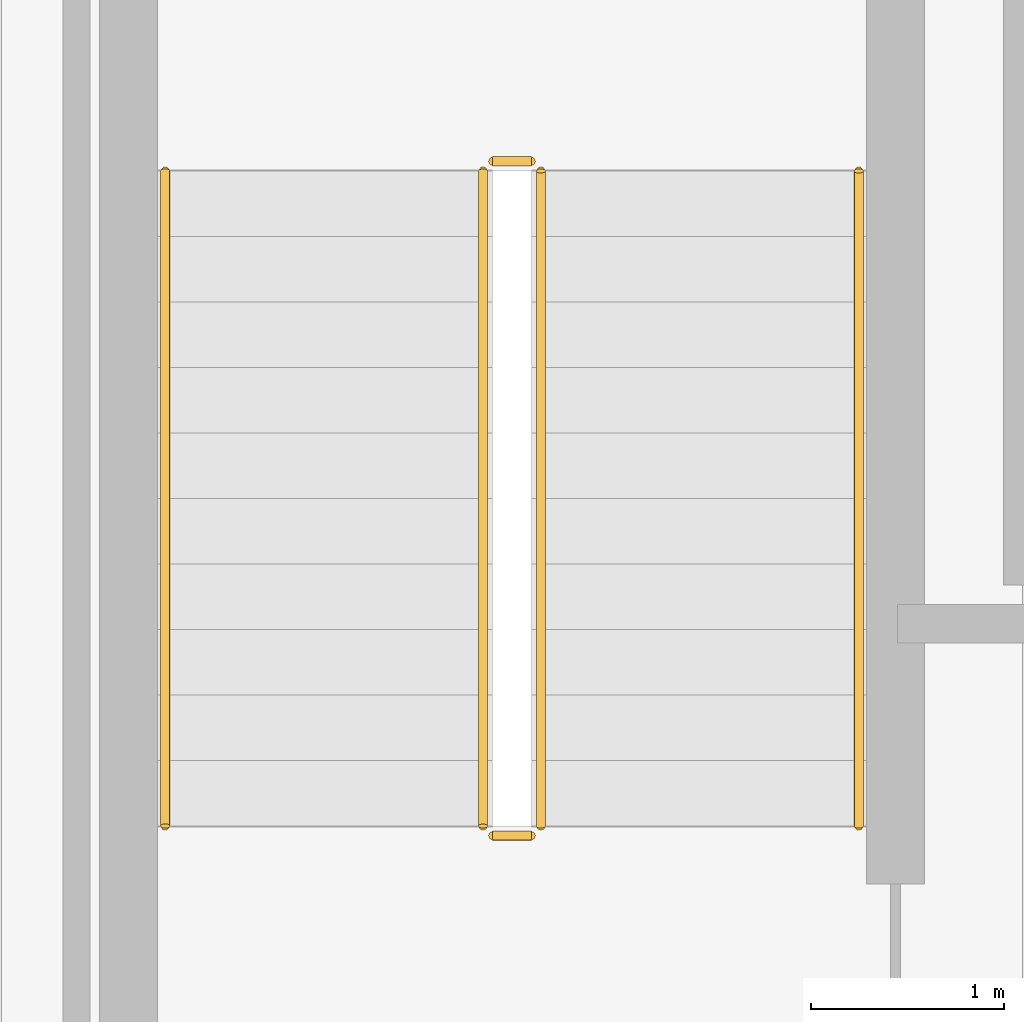
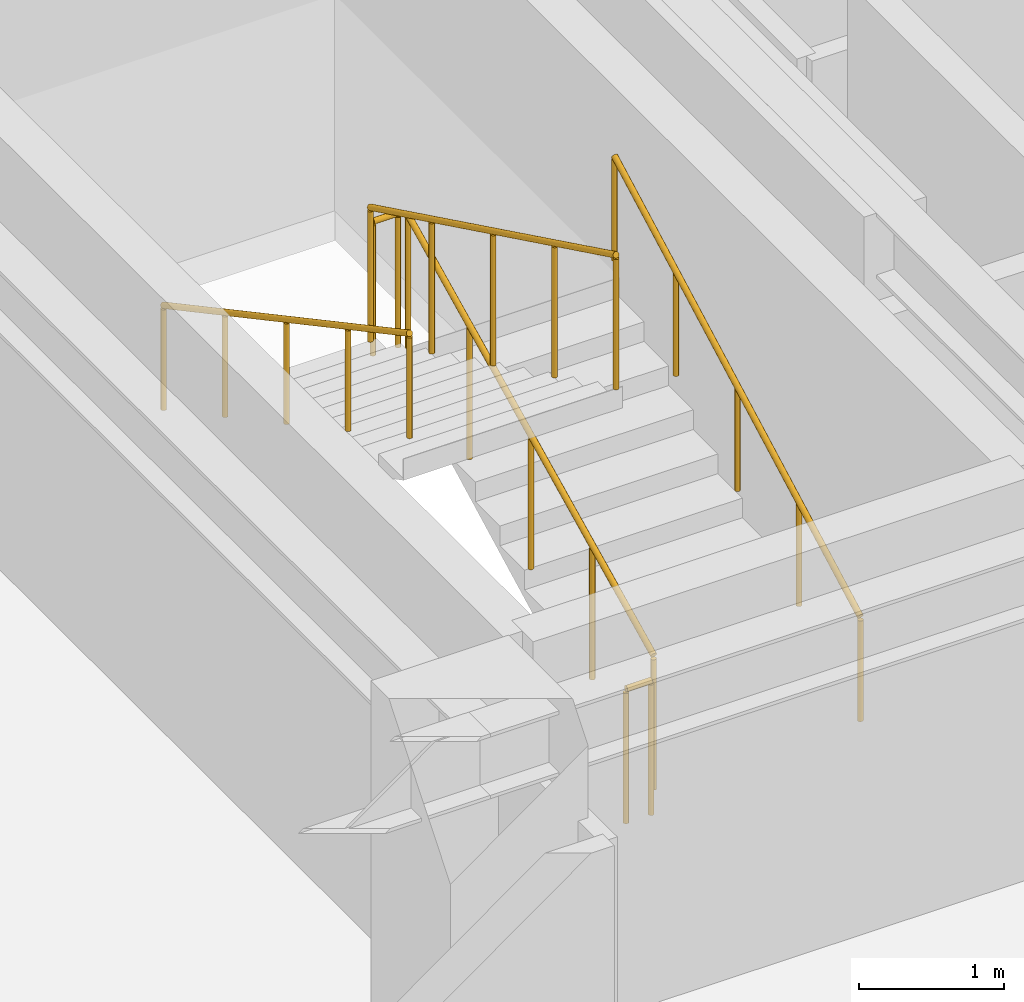
# One storey, part 30 of 31: 6 railings.
"""IFC4 building model written with IfcOpenShell, lengths in metres."""

from ifc_helpers import new_model, si_unit, direction, frame, origin, origin_2d, place, context, subcontext, project, spatial, circle, extrude, material, type_object, element, save


model = new_model("IFC4")

# Units and contexts
model_context = context("Model", 3, precision=1e-05, world=origin(), true_north=direction((0.0, 1.0)))
body_context = subcontext(model_context, "Body", "Model", "MODEL_VIEW")
ifc_project = project(units=[si_unit("LENGTHUNIT", "METRE"), si_unit("AREAUNIT", "SQUARE_METRE"), si_unit("VOLUMEUNIT", "CUBIC_METRE"), si_unit("PLANEANGLEUNIT", "RADIAN"), si_unit("MASSUNIT", "GRAM", prefix="KILO")], contexts=[model_context])

# Site, building, storey
site_placement = place(None, origin())
site = spatial("IfcSite", under=ifc_project, at=site_placement, CompositionType="ELEMENT")
building_placement = place(site_placement, origin())
building = spatial("IfcBuilding", under=site, at=building_placement, Name="Nahalor Promenade Grand Hotel", CompositionType="ELEMENT")
storey_placement = place(building_placement, frame((0.0, 0.0, 156.300048828125)))
storey = spatial("IfcBuildingStorey", under=building, at=storey_placement, Name="L39", CompositionType="ELEMENT", Elevation=156.300048828125)

# Railings
ifc_material = material(Name="Steel S355JR", Category="steel")
railing_type_1 = type_object("IfcRailingType", Name="Steel Stair Guardrail 1150 mm", PredefinedType="GUARDRAIL", material=ifc_material)
railing_1_placement = place(storey_placement, frame((5.75, 8.10009765625, 0.165771484375)))
element("IfcRailing", 1, at=railing_1_placement, inside=storey, type_object=railing_type_1, Name="L39 ST1 stair guard 1", PredefinedType="GUARDRAIL", context=body_context, shape_type="SweptSolid", body=[
    extrude(circle(Radius=0.024048, at=origin_2d()), frame((0.0, 0.0, 1.1259765625), z_axis=(0.0, 0.898696488221, 0.438571114028), x_axis=(-1.0, 0.0, 0.0)), (0.0, 0.0, 1.0), 3.783203125),
    extrude(circle(Radius=0.020996, at=origin_2d()), origin(), (0.0, 0.0, 1.0), 1.099853515625),
    extrude(circle(Radius=0.020996, at=origin_2d()), frame((0.0, 0.85009765625, 0.414794921875)), (0.0, 0.0, 1.0), 1.099853515625),
    extrude(circle(Radius=0.020996, at=origin_2d()), frame((0.0, 1.699951171875, 0.82958984375)), (0.0, 0.0, 1.0), 1.099853515625),
    extrude(circle(Radius=0.020996, at=origin_2d()), frame((0.0, 2.5498046875, 1.244384765625)), (0.0, 0.0, 1.0), 1.099853515625),
    extrude(circle(Radius=0.020996, at=origin_2d()), frame((0.0, 3.39990234375, 1.6591796875)), (0.0, 0.0, 1.0), 1.099853515625),
])
railing_2_placement = place(storey_placement, frame((5.699951171875, 11.550048828125, 1.824951171875)))
element("IfcRailing", 2, at=railing_2_placement, inside=storey, type_object=railing_type_1, Name="L39 ST1 stair guard 2", PredefinedType="GUARDRAIL", context=body_context, shape_type="SweptSolid", body=[
    extrude(circle(Radius=0.024048, at=origin_2d()), frame((0.0, 0.0, 1.1259765625), z_axis=(-1.0, 0.0, 0.0), x_axis=(0.0, -1.0, 0.0)), (0.0, 0.0, 1.0), 0.199951171875),
    extrude(circle(Radius=0.020996, at=origin_2d()), origin(), (0.0, 0.0, 1.0), 1.099853515625),
    extrude(circle(Radius=0.020996, at=origin_2d()), frame((-0.199951171875, 0.0, 0.0)), (0.0, 0.0, 1.0), 1.099853515625),
])
railing_3_placement = place(storey_placement, frame((5.449951171875, 11.5, 1.990966796875)))
element("IfcRailing", 3, at=railing_3_placement, inside=storey, type_object=railing_type_1, Name="L39 ST1 stair guard 3", PredefinedType="GUARDRAIL", context=body_context, shape_type="SweptSolid", body=[
    extrude(circle(Radius=0.024048, at=origin_2d()), frame((0.0, 0.0, 1.1259765625), z_axis=(0.0, -0.898721922897, 0.438518990814), x_axis=(1.0, 0.0, 0.0)), (0.0, 0.0, 1.0), 3.782958984375),
    extrude(circle(Radius=0.020996, at=origin_2d()), origin(), (0.0, 0.0, 1.0), 1.099853515625),
    extrude(circle(Radius=0.020996, at=origin_2d()), frame((0.0, -0.85009765625, 0.414794921875)), (0.0, 0.0, 1.0), 1.099853515625),
    extrude(circle(Radius=0.020996, at=origin_2d()), frame((0.0, -1.699951171875, 0.82958984375)), (0.0, 0.0, 1.0), 1.099853515625),
    extrude(circle(Radius=0.020996, at=origin_2d()), frame((0.0, -2.5498046875, 1.244140625)), (0.0, 0.0, 1.0), 1.099853515625),
    extrude(circle(Radius=0.020996, at=origin_2d()), frame((0.0, -3.39990234375, 1.658935546875)), (0.0, 0.0, 1.0), 1.099853515625),
])
railing_4_placement = place(storey_placement, frame((5.699951171875, 8.050048828125, 0.0)))
element("IfcRailing", 4, at=railing_4_placement, inside=storey, type_object=railing_type_1, Name="L39 ST1 stair guard 4", PredefinedType="GUARDRAIL", context=body_context, shape_type="SweptSolid", body=[
    extrude(circle(Radius=0.024048, at=origin_2d()), frame((0.0, 0.0, 1.1259765625), z_axis=(-1.0, 0.0, 0.0), x_axis=(0.0, -1.0, 0.0)), (0.0, 0.0, 1.0), 0.199951171875),
    extrude(circle(Radius=0.020996, at=origin_2d()), origin(), (0.0, 0.0, 1.0), 1.099853515625),
    extrude(circle(Radius=0.020996, at=origin_2d()), frame((-0.199951171875, 0.0, 0.0)), (0.0, 0.0, 1.0), 1.099853515625),
])
railing_type_2 = type_object("IfcRailingType", Name="Steel Stair Handrail 900 mm", PredefinedType="HANDRAIL", material=ifc_material)
railing_5_placement = place(storey_placement, frame((7.39990234375, 8.10009765625, 0.165771484375)))
element("IfcRailing", 5, at=railing_5_placement, inside=storey, type_object=railing_type_2, Name="L39 ST1 stair handrail 1", PredefinedType="HANDRAIL", context=body_context, shape_type="SweptSolid", body=[
    extrude(circle(Radius=0.024048, at=origin_2d()), frame((0.0, 0.0, 0.8759765625), z_axis=(0.0, 0.881067672671, 0.472990228413), x_axis=(-1.0, 0.0, 0.0)), (0.0, 0.0, 1.0), 3.85888671875),
    extrude(circle(Radius=0.020996, at=origin_2d()), origin(), (0.0, 0.0, 1.0), 0.849853515625),
    extrude(circle(Radius=0.020996, at=origin_2d()), frame((0.0, 0.85009765625, 0.456298828125)), (0.0, 0.0, 1.0), 0.849853515625),
    extrude(circle(Radius=0.020996, at=origin_2d()), frame((0.0, 1.699951171875, 0.91259765625)), (0.0, 0.0, 1.0), 0.849853515625),
    extrude(circle(Radius=0.020996, at=origin_2d()), frame((0.0, 2.5498046875, 1.368896484375)), (0.0, 0.0, 1.0), 0.849853515625),
    extrude(circle(Radius=0.020996, at=origin_2d()), frame((0.0, 3.39990234375, 1.8251953125)), (0.0, 0.0, 1.0), 0.849853515625),
])
railing_6_placement = place(storey_placement, frame((3.800048828125, 11.5, 1.990966796875)))
element("IfcRailing", 6, at=railing_6_placement, inside=storey, type_object=railing_type_2, Name="L39 ST1 stair handrail 2", PredefinedType="HANDRAIL", context=body_context, shape_type="SweptSolid", body=[
    extrude(circle(Radius=0.024048, at=origin_2d()), frame((0.0, 0.0, 0.8759765625), z_axis=(0.0, -0.881094038095, 0.47294111265), x_axis=(1.0, 0.0, 0.0)), (0.0, 0.0, 1.0), 3.858642578125),
    extrude(circle(Radius=0.020996, at=origin_2d()), origin(), (0.0, 0.0, 1.0), 0.849853515625),
    extrude(circle(Radius=0.020996, at=origin_2d()), frame((0.0, -0.85009765625, 0.456298828125)), (0.0, 0.0, 1.0), 0.849853515625),
    extrude(circle(Radius=0.020996, at=origin_2d()), frame((0.0, -1.699951171875, 0.91259765625)), (0.0, 0.0, 1.0), 0.849853515625),
    extrude(circle(Radius=0.020996, at=origin_2d()), frame((0.0, -2.5498046875, 1.36865234375)), (0.0, 0.0, 1.0), 0.849853515625),
    extrude(circle(Radius=0.020996, at=origin_2d()), frame((0.0, -3.39990234375, 1.824951171875)), (0.0, 0.0, 1.0), 0.849853515625),
])

save(model, "model.ifc")
